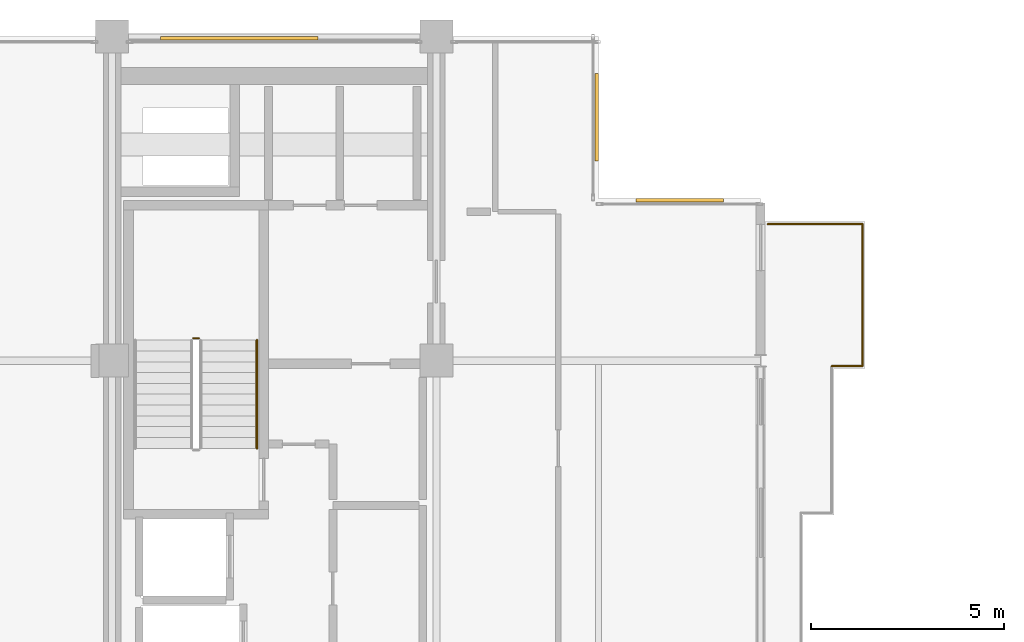
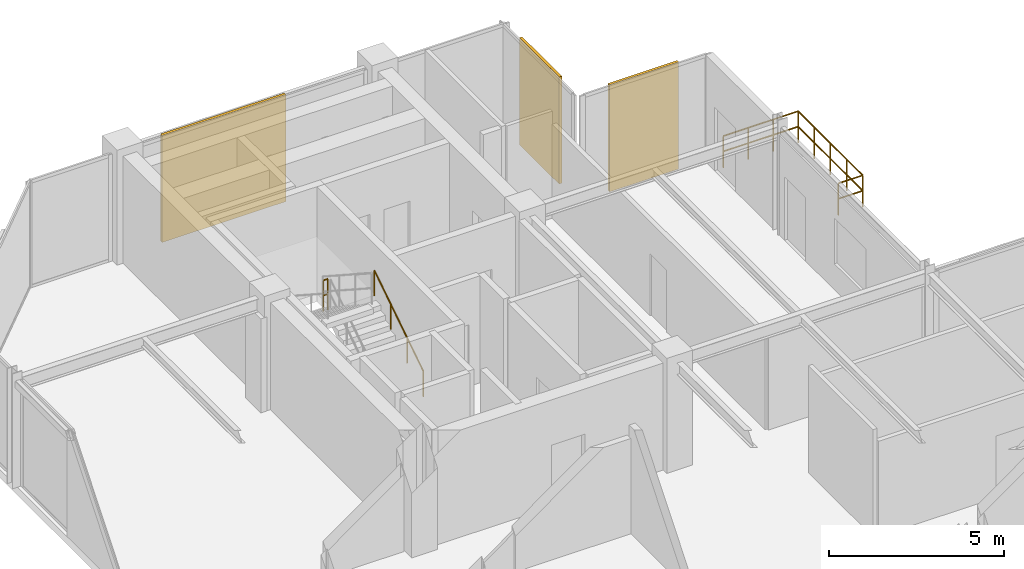
# One storey, part 26 of 26: 5 railings, 3 coverings.
"""IFC4 building model written with IfcOpenShell, lengths in metres."""

from ifc_helpers import new_model, si_unit, direction, frame, origin, origin_2d, place, context, subcontext, project, spatial, rectangle, circle, extrude, material, layer, layer_set, type_object, element, save


model = new_model("IFC4")

# Units and contexts
model_context = context("Model", 3, precision=1e-05, world=origin(), true_north=direction((0.0, 1.0)))
body_context = subcontext(model_context, "Body", "Model", "MODEL_VIEW")
ifc_project = project(units=[si_unit("LENGTHUNIT", "METRE"), si_unit("AREAUNIT", "SQUARE_METRE"), si_unit("VOLUMEUNIT", "CUBIC_METRE"), si_unit("PLANEANGLEUNIT", "RADIAN"), si_unit("MASSUNIT", "GRAM", prefix="KILO")], contexts=[model_context])

# Site, building, storey
site_placement = place(None, origin())
site = spatial("IfcSite", under=ifc_project, at=site_placement, CompositionType="ELEMENT")
building_placement = place(site_placement, origin())
building = spatial("IfcBuilding", under=site, at=building_placement, Name="Nerrivon Quay Data Exchange", CompositionType="ELEMENT")
storey_placement = place(building_placement, frame((0.0, 0.0, 258.199951171875)))
storey = spatial("IfcBuildingStorey", under=building, at=storey_placement, Name="L61", CompositionType="ELEMENT", Elevation=258.199951171875)

# Coverings
ifc_material_1 = material(Name="Architectural terracotta ceramic", Category="masonry")
ifc_layer = layer(ifc_material_1, 0.090087890625)
ifc_layer_set = layer_set([ifc_layer], Name="Architectural terracotta ceramic")
covering_type = type_object("IfcCoveringType", Name="COV-SCR-TERR", PredefinedType="CLADDING", material=ifc_layer_set)
covering_placement = place(storey_placement, frame((11.694091796875, 41.955078125, 0.0), z_axis=(0.0, 0.0, 1.0), x_axis=(1.0, 0.0, 0.0)))
element("IfcCovering", 1, at=covering_placement, inside=storey, type_object=covering_type, Name="L61 Perforated Terracotta SOLAR SCREEN Cassette", PredefinedType="CLADDING", context=body_context, shape_type="SweptSolid", body=[
    extrude(rectangle(XDim=4.076904296875, YDim=0.090087890625, at=origin_2d()), origin(), (0.0, 0.0, 1.0), 3.72509765625),
])
for number, where, z_axis, x_axis, name in (
    (2, (20.955078125, 39.89990234375, 0.0), (0.0, 0.0, 1.0), (0.0, -1.0, 0.0), "L61 Perforated Terracotta SOLAR SCREEN Cassette"),
    (3, (23.10009765625, 37.7548828125, 0.0), (0.0, 0.0, 1.0), (1.0, 0.0, 0.0), "L61 Perforated Terracotta SOLAR SCREEN Cassette"),
):
    element("IfcCovering", number, at=place(storey_placement, frame(where, z_axis=z_axis, x_axis=x_axis)), inside=storey, type_object=covering_type, Name=name, PredefinedType="CLADDING", context=body_context, shape_type="SweptSolid", body=[
        extrude(rectangle(XDim=2.26806640625, YDim=0.090087890625, at=origin_2d()), origin(), (0.0, 0.0, 1.0), 3.72509765625),
    ])

# Railings
ifc_material_2 = material(Name="Steel Grade C350L0 (350 MPa)", Category="steel")
railing_type_1 = type_object("IfcRailingType", Name="RAIL-GUARD-GR2", PredefinedType="BALUSTRADE", material=ifc_material_2)
railing_1_placement = place(storey_placement, frame((25.3798828125, 37.139892578125, 0.0)))
element("IfcRailing", 4, at=railing_1_placement, inside=storey, type_object=railing_type_1, Name="L61 Verandah Balcony Guard 1.3 1", PredefinedType="BALUSTRADE", context=body_context, shape_type="SweptSolid", body=[
    extrude(circle(Radius=0.02392578125, at=origin_2d()), frame((0.0, 0.0, 1.09619140625), z_axis=(1.0, 0.0, 0.0), x_axis=(0.0, 1.0, 0.0)), (0.0, 0.0, 1.0), 2.460205078125),
    extrude(circle(Radius=0.02392578125, at=origin_2d()), frame((0.0, 0.0, 0.56005859375), z_axis=(1.0, 0.0, 0.0), x_axis=(0.0, 1.0, 0.0)), (0.0, 0.0, 1.0), 2.460205078125),
    extrude(circle(Radius=0.02099609375, at=origin_2d()), origin(), (0.0, 0.0, 1.0), 1.072021484375),
    extrude(circle(Radius=0.02099609375, at=origin_2d()), frame((0.820068359375, 0.0, 0.0)), (0.0, 0.0, 1.0), 1.072021484375),
    extrude(circle(Radius=0.02099609375, at=origin_2d()), frame((1.64013671875, 0.0, 0.0)), (0.0, 0.0, 1.0), 1.072021484375),
    extrude(circle(Radius=0.02099609375, at=origin_2d()), frame((2.460205078125, 0.0, 0.0)), (0.0, 0.0, 1.0), 1.072021484375),
])
railing_2_placement = place(storey_placement, frame((27.840087890625, 37.139892578125, 0.0)))
element("IfcRailing", 5, at=railing_2_placement, inside=storey, type_object=railing_type_1, Name="L61 Verandah Balcony Guard 1.4 1", PredefinedType="BALUSTRADE", context=body_context, shape_type="SweptSolid", body=[
    extrude(circle(Radius=0.02392578125, at=origin_2d()), frame((0.0, 0.0, 1.09619140625), z_axis=(0.0, -1.0, 0.0), x_axis=(1.0, 0.0, 0.0)), (0.0, 0.0, 1.0), 3.679931640625),
    extrude(circle(Radius=0.02392578125, at=origin_2d()), frame((0.0, 0.0, 0.56005859375), z_axis=(0.0, -1.0, 0.0), x_axis=(1.0, 0.0, 0.0)), (0.0, 0.0, 1.0), 3.679931640625),
    extrude(circle(Radius=0.02099609375, at=origin_2d()), origin(), (0.0, 0.0, 1.0), 1.072021484375),
    extrude(circle(Radius=0.02099609375, at=origin_2d()), frame((0.0, -0.919921875, 0.0)), (0.0, 0.0, 1.0), 1.072021484375),
    extrude(circle(Radius=0.02099609375, at=origin_2d()), frame((0.0, -1.83984375, 0.0)), (0.0, 0.0, 1.0), 1.072021484375),
    extrude(circle(Radius=0.02099609375, at=origin_2d()), frame((0.0, -2.760009765625, 0.0)), (0.0, 0.0, 1.0), 1.072021484375),
    extrude(circle(Radius=0.02099609375, at=origin_2d()), frame((0.0, -3.679931640625, 0.0)), (0.0, 0.0, 1.0), 1.072021484375),
])
railing_3_placement = place(storey_placement, frame((27.840087890625, 33.4599609375, 0.0)))
element("IfcRailing", 6, at=railing_3_placement, inside=storey, type_object=railing_type_1, Name="L61 Verandah Balcony Guard 1.5 1", PredefinedType="BALUSTRADE", context=body_context, shape_type="SweptSolid", body=[
    extrude(circle(Radius=0.02392578125, at=origin_2d()), frame((0.0, 0.0, 1.09619140625), z_axis=(-1.0, 0.0, 0.0), x_axis=(0.0, -1.0, 0.0)), (0.0, 0.0, 1.0), 0.800048828125),
    extrude(circle(Radius=0.02392578125, at=origin_2d()), frame((0.0, 0.0, 0.56005859375), z_axis=(-1.0, 0.0, 0.0), x_axis=(0.0, -1.0, 0.0)), (0.0, 0.0, 1.0), 0.800048828125),
    extrude(circle(Radius=0.02099609375, at=origin_2d()), origin(), (0.0, 0.0, 1.0), 1.072021484375),
    extrude(circle(Radius=0.02099609375, at=origin_2d()), frame((-0.800048828125, 0.0, 0.0)), (0.0, 0.0, 1.0), 1.072021484375),
])
railing_type_2 = type_object("IfcRailingType", Name="RAIL-HAND-HR1", PredefinedType="HANDRAIL", material=ifc_material_2)
railing_4_placement = place(storey_placement, frame((12.14990234375, 31.330078125, 0.181884765625)))
element("IfcRailing", 7, at=railing_4_placement, inside=storey, type_object=railing_type_2, Name="L61 ST01 stair handrail 1", PredefinedType="HANDRAIL", context=body_context, shape_type="SweptSolid", body=[
    extrude(circle(Radius=0.02392578125, at=origin_2d()), frame((0.0, 0.0, 0.8759765625), z_axis=(0.0, 0.83868413941, 0.544618136222), x_axis=(-1.0, 0.0, 0.0)), (0.0, 0.0, 1.0), 3.33837890625),
    extrude(circle(Radius=0.02099609375, at=origin_2d()), origin(), (0.0, 0.0, 1.0), 0.851806640625),
    extrude(circle(Radius=0.02099609375, at=origin_2d()), frame((0.0, 0.933349609375, 0.60595703125)), (0.0, 0.0, 1.0), 0.851806640625),
    extrude(circle(Radius=0.02099609375, at=origin_2d()), frame((0.0, 1.866455078125, 1.212158203125)), (0.0, 0.0, 1.0), 0.851806640625),
    extrude(circle(Radius=0.02099609375, at=origin_2d()), frame((0.0, 2.7998046875, 1.818115234375)), (0.0, 0.0, 1.0), 0.851806640625),
])
railing_type_3 = type_object("IfcRailingType", Name="RAIL-STAIR-GR1", PredefinedType="BALUSTRADE", material=ifc_material_2)
railing_5_placement = place(storey_placement, frame((10.64990234375, 34.179931640625, 2.0)))
element("IfcRailing", 8, at=railing_5_placement, inside=storey, type_object=railing_type_3, Name="L61 ST01 stair guard 2", PredefinedType="BALUSTRADE", context=body_context, shape_type="SweptSolid", body=[
    extrude(circle(Radius=0.02392578125, at=origin_2d()), frame((0.0, 0.0, 1.076171875), z_axis=(-1.0, 0.0, 0.0), x_axis=(0.0, -1.0, 0.0)), (0.0, 0.0, 1.0), 0.14990234375),
    extrude(circle(Radius=0.02392578125, at=origin_2d()), frame((0.0, 0.0, 0.550048828125), z_axis=(-1.0, 0.0, 0.0), x_axis=(0.0, -1.0, 0.0)), (0.0, 0.0, 1.0), 0.14990234375),
    extrude(circle(Radius=0.02099609375, at=origin_2d()), origin(), (0.0, 0.0, 1.0), 1.052001953125),
    extrude(circle(Radius=0.02099609375, at=origin_2d()), frame((-0.14990234375, 0.0, 0.0)), (0.0, 0.0, 1.0), 1.052001953125),
])

save(model, "model.ifc")
